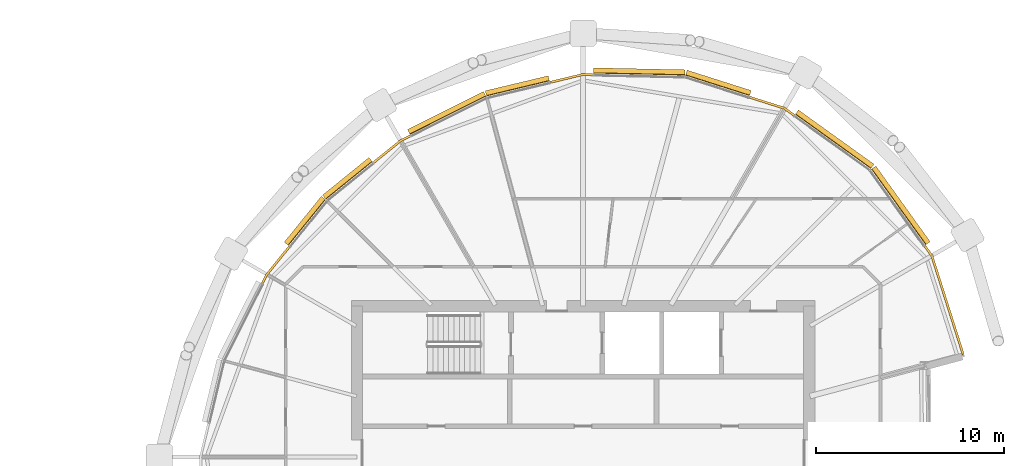
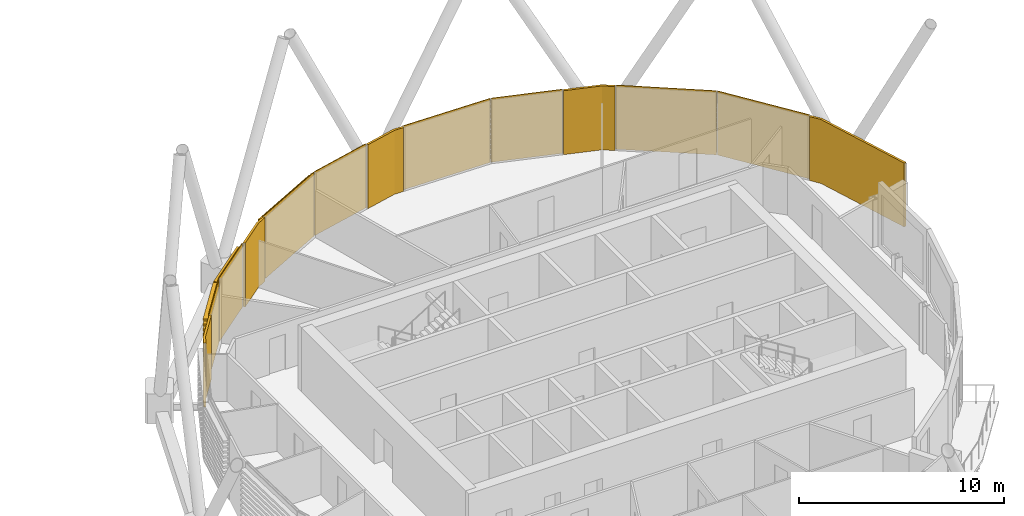
# One storey, part 35 of 36: 13 coverings.
"""IFC4 building model written with IfcOpenShell, lengths in metres."""

from ifc_helpers import new_model, si_unit, direction, frame, origin, place, context, subcontext, project, spatial, polyline, outline, extrude, material, layer, layer_set, material_profile, profile_set, type_object, element, save


model = new_model("IFC4")

# Units and contexts
model_context = context("Model", 3, precision=1e-05, world=origin(), true_north=direction((0.0, 1.0)))
body_context = subcontext(model_context, "Body", "Model", "MODEL_VIEW")
ifc_project = project(units=[si_unit("LENGTHUNIT", "METRE"), si_unit("AREAUNIT", "SQUARE_METRE"), si_unit("VOLUMEUNIT", "CUBIC_METRE"), si_unit("PLANEANGLEUNIT", "RADIAN"), si_unit("MASSUNIT", "GRAM", prefix="KILO")], contexts=[model_context])

# Site, building, storey
site_placement = place(None, origin())
site = spatial("IfcSite", under=ifc_project, at=site_placement, CompositionType="ELEMENT")
building_placement = place(site_placement, origin())
building = spatial("IfcBuilding", under=site, at=building_placement, Name="Rimbun Link Towers", CompositionType="ELEMENT")
storey_placement = place(building_placement, frame((0.0, 0.0, 193.10009765625)))
storey = spatial("IfcBuildingStorey", under=building, at=storey_placement, Name="L47", CompositionType="ELEMENT", Elevation=193.10009765625)

# Coverings
ifc_material_1 = material(Name="Terracotta", Category="masonry")
ifc_layer = layer(ifc_material_1, 0.1201171875)
ifc_layer_set = layer_set([ifc_layer], Name="LINK PIER terracotta cladding 120")
covering_type_1 = type_object("IfcCoveringType", Name="LINK PIER terracotta cladding 120", PredefinedType="CLADDING", material=ifc_layer_set)
covering_1_placement = place(storey_placement, origin())
element("IfcCovering", 1, at=covering_1_placement, inside=storey, type_object=covering_type_1, Name="LINK PIER cladding", PredefinedType="CLADDING", context=body_context, shape_type="SweptSolid", body=[
    extrude(outline(polyline([(40.57177734375, 19.030517578125), (42.4013671875, 18.44873046875), (42.905029296875, 18.087158203125), (42.97509765625, 18.184814453125), (42.455810546875, 18.557373046875), (40.608154296875, 19.14501953125), (40.57177734375, 19.030517578125)])), origin(), (0.0, 0.0, 1.0), 3.7998046875),
])
covering_2_placement = place(storey_placement, origin())
element("IfcCovering", 2, at=covering_2_placement, inside=storey, type_object=covering_type_1, Name="LINK PIER cladding", PredefinedType="CLADDING", context=body_context, shape_type="SweptSolid", body=[
    extrude(outline(polyline([(30.028564453125, 19.823486328125), (31.75, 20.235107421875), (32.269775390625, 20.22412109375), (32.2724609375, 20.34423828125), (31.737060546875, 20.35546875), (30.000732421875, 19.940185546875), (30.028564453125, 19.823486328125)])), origin(), (0.0, 0.0, 1.0), 3.7998046875),
])
covering_3_placement = place(storey_placement, origin())
element("IfcCovering", 3, at=covering_3_placement, inside=storey, type_object=covering_type_1, Name="LINK PIER cladding", PredefinedType="CLADDING", context=body_context, shape_type="SweptSolid", body=[
    extrude(outline(polyline([(20.6787109375, 15.580810546875), (22.09326171875, 16.725830078125), (22.602783203125, 16.981689453125), (22.548828125, 17.0888671875), (22.02783203125, 16.8271484375), (20.603271484375, 15.674072265625), (20.6787109375, 15.580810546875)])), origin(), (0.0, 0.0, 1.0), 3.7998046875),
])
covering_4_placement = place(storey_placement, origin())
element("IfcCovering", 4, at=covering_4_placement, inside=storey, type_object=covering_type_1, Name="LINK PIER cladding", PredefinedType="CLADDING", context=body_context, shape_type="SweptSolid", body=[
    extrude(outline(polyline([(14.790771484375, 9.19189453125), (15.024169921875, 9.65673828125), (16.20068359375, 11.110107421875), (16.107421875, 11.185791015625), (14.9228515625, 9.72216796875), (14.68359375, 9.245849609375), (14.790771484375, 9.19189453125)])), origin(), (0.0, 0.0, 1.0), 3.7998046875),
])
covering_5_placement = place(storey_placement, origin())
element("IfcCovering", 5, at=covering_5_placement, inside=storey, type_object=covering_type_1, Name="LINK PIER cladding", PredefinedType="CLADDING", context=body_context, shape_type="SweptSolid", body=[
    extrude(outline(polyline([(49.837158203125, 11.155029296875), (50.19873046875, 10.6513671875), (51.8623046875, 5.420166015625), (51.976806640625, 5.45654296875), (50.307373046875, 10.705810546875), (49.934814453125, 11.22509765625), (49.837158203125, 11.155029296875)])), origin(), (0.0, 0.0, 1.0), 3.7998046875),
])
ifc_material_2 = material(Name="Terracotta", Category="masonry")
ifc_material_profile = material_profile(ifc_material_2, outline(polyline([(0.123046875, 0.0), (0.1630859375, 0.0), (0.1630859375, 0.10009765625), (0.423095703125, 0.10009765625), (0.423095703125, 0.219970703125), (0.1630859375, 0.219970703125), (0.1630859375, 0.39990234375), (0.423095703125, 0.39990234375), (0.423095703125, 0.52001953125), (0.1630859375, 0.52001953125), (0.1630859375, 0.699951171875), (0.423095703125, 0.699951171875), (0.423095703125, 0.820068359375), (0.1630859375, 0.820068359375), (0.1630859375, 1.0), (0.423095703125, 1.0), (0.423095703125, 1.1201171875), (0.1630859375, 1.1201171875), (0.1630859375, 1.300048828125), (0.423095703125, 1.300048828125), (0.423095703125, 1.419921875), (0.1630859375, 1.419921875), (0.1630859375, 1.60009765625), (0.423095703125, 1.60009765625), (0.423095703125, 1.719970703125), (0.1630859375, 1.719970703125), (0.1630859375, 1.89990234375), (0.423095703125, 1.89990234375), (0.423095703125, 2.02001953125), (0.1630859375, 2.02001953125), (0.1630859375, 2.199951171875), (0.423095703125, 2.199951171875), (0.423095703125, 2.320068359375), (0.1630859375, 2.320068359375), (0.1630859375, 2.5), (0.423095703125, 2.5), (0.423095703125, 2.6201171875), (0.1630859375, 2.6201171875), (0.1630859375, 2.800048828125), (0.423095703125, 2.800048828125), (0.423095703125, 2.919921875), (0.1630859375, 2.919921875), (0.1630859375, 3.10009765625), (0.423095703125, 3.10009765625), (0.423095703125, 3.219970703125), (0.1630859375, 3.219970703125), (0.1630859375, 3.39990234375), (0.423095703125, 3.39990234375), (0.423095703125, 3.52001953125), (0.1630859375, 3.52001953125), (0.1630859375, 3.800048828125), (0.123046875, 3.800048828125), (0.123046875, 0.0)])), Name="BAGUETTE 120X300")
ifc_profile_set = profile_set([ifc_material_profile], Name="Terracotta")
covering_type_2 = type_object("IfcCoveringType", Name="TERRACOTTA BAGUETTE 120X300 H3800", PredefinedType="CLADDING", material=ifc_profile_set)
covering_6_placement = place(storey_placement, frame((42.929443359375, 18.06982421875, 0.0), z_axis=(0.812472062268, -0.583000126959, 0.0), x_axis=(0.583000126959, 0.812472062268, 0.0)))
element("IfcCovering", 6, at=covering_6_placement, inside=storey, type_object=covering_type_2, Name="TERRACOTTA BAGUETTE", PredefinedType="CLADDING", context=body_context, shape_type="SweptSolid", body=[
    extrude(outline(polyline([(0.123046875, 0.0), (0.1630859375, 0.0), (0.1630859375, 0.10009765625), (0.423095703125, 0.10009765625), (0.423095703125, 0.219970703125), (0.1630859375, 0.219970703125), (0.1630859375, 0.39990234375), (0.423095703125, 0.39990234375), (0.423095703125, 0.52001953125), (0.1630859375, 0.52001953125), (0.1630859375, 0.699951171875), (0.423095703125, 0.699951171875), (0.423095703125, 0.820068359375), (0.1630859375, 0.820068359375), (0.1630859375, 1.0), (0.423095703125, 1.0), (0.423095703125, 1.1201171875), (0.1630859375, 1.1201171875), (0.1630859375, 1.300048828125), (0.423095703125, 1.300048828125), (0.423095703125, 1.419921875), (0.1630859375, 1.419921875), (0.1630859375, 1.60009765625), (0.423095703125, 1.60009765625), (0.423095703125, 1.719970703125), (0.1630859375, 1.719970703125), (0.1630859375, 1.89990234375), (0.423095703125, 1.89990234375), (0.423095703125, 2.02001953125), (0.1630859375, 2.02001953125), (0.1630859375, 2.199951171875), (0.423095703125, 2.199951171875), (0.423095703125, 2.320068359375), (0.1630859375, 2.320068359375), (0.1630859375, 2.5), (0.423095703125, 2.5), (0.423095703125, 2.6201171875), (0.1630859375, 2.6201171875), (0.1630859375, 2.800048828125), (0.423095703125, 2.800048828125), (0.423095703125, 2.919921875), (0.1630859375, 2.919921875), (0.1630859375, 3.10009765625), (0.423095703125, 3.10009765625), (0.423095703125, 3.219970703125), (0.1630859375, 3.219970703125), (0.1630859375, 3.39990234375), (0.423095703125, 3.39990234375), (0.423095703125, 3.52001953125), (0.1630859375, 3.52001953125), (0.1630859375, 3.800048828125), (0.123046875, 3.800048828125), (0.123046875, 0.0)])), origin(), (0.0, 0.0, 1.0), 4.937744140625),
])
covering_7_placement = place(storey_placement, frame((37.1416015625, 20.12158203125, 0.0), z_axis=(0.952969785043, -0.303065321002, 0.0), x_axis=(0.303065321002, 0.952969785043, 0.0)))
element("IfcCovering", 7, at=covering_7_placement, inside=storey, type_object=covering_type_2, Name="TERRACOTTA BAGUETTE", PredefinedType="CLADDING", context=body_context, shape_type="SweptSolid", body=[
    extrude(outline(polyline([(0.123046875, 0.0), (0.1630859375, 0.0), (0.1630859375, 0.10009765625), (0.423095703125, 0.10009765625), (0.423095703125, 0.219970703125), (0.1630859375, 0.219970703125), (0.1630859375, 0.39990234375), (0.423095703125, 0.39990234375), (0.423095703125, 0.52001953125), (0.1630859375, 0.52001953125), (0.1630859375, 0.699951171875), (0.423095703125, 0.699951171875), (0.423095703125, 0.820068359375), (0.1630859375, 0.820068359375), (0.1630859375, 1.0), (0.423095703125, 1.0), (0.423095703125, 1.1201171875), (0.1630859375, 1.1201171875), (0.1630859375, 1.300048828125), (0.423095703125, 1.300048828125), (0.423095703125, 1.419921875), (0.1630859375, 1.419921875), (0.1630859375, 1.60009765625), (0.423095703125, 1.60009765625), (0.423095703125, 1.719970703125), (0.1630859375, 1.719970703125), (0.1630859375, 1.89990234375), (0.423095703125, 1.89990234375), (0.423095703125, 2.02001953125), (0.1630859375, 2.02001953125), (0.1630859375, 2.199951171875), (0.423095703125, 2.199951171875), (0.423095703125, 2.320068359375), (0.1630859375, 2.320068359375), (0.1630859375, 2.5), (0.423095703125, 2.5), (0.423095703125, 2.6201171875), (0.1630859375, 2.6201171875), (0.1630859375, 2.800048828125), (0.423095703125, 2.800048828125), (0.423095703125, 2.919921875), (0.1630859375, 2.919921875), (0.1630859375, 3.10009765625), (0.423095703125, 3.10009765625), (0.423095703125, 3.219970703125), (0.1630859375, 3.219970703125), (0.1630859375, 3.39990234375), (0.423095703125, 3.39990234375), (0.423095703125, 3.52001953125), (0.1630859375, 3.52001953125), (0.1630859375, 3.800048828125), (0.123046875, 3.800048828125), (0.123046875, 0.0)])), origin(), (0.0, 0.0, 1.0), 3.569580078125),
])
covering_8_placement = place(storey_placement, frame((32.2998046875, 20.2236328125, 0.0), z_axis=(0.99977795302, -0.021072367102, 0.0), x_axis=(0.021072367102, 0.99977795302, 0.0)))
element("IfcCovering", 8, at=covering_8_placement, inside=storey, type_object=covering_type_2, Name="TERRACOTTA BAGUETTE", PredefinedType="CLADDING", context=body_context, shape_type="SweptSolid", body=[
    extrude(outline(polyline([(0.123046875, 0.0), (0.1630859375, 0.0), (0.1630859375, 0.10009765625), (0.423095703125, 0.10009765625), (0.423095703125, 0.219970703125), (0.1630859375, 0.219970703125), (0.1630859375, 0.39990234375), (0.423095703125, 0.39990234375), (0.423095703125, 0.52001953125), (0.1630859375, 0.52001953125), (0.1630859375, 0.699951171875), (0.423095703125, 0.699951171875), (0.423095703125, 0.820068359375), (0.1630859375, 0.820068359375), (0.1630859375, 1.0), (0.423095703125, 1.0), (0.423095703125, 1.1201171875), (0.1630859375, 1.1201171875), (0.1630859375, 1.300048828125), (0.423095703125, 1.300048828125), (0.423095703125, 1.419921875), (0.1630859375, 1.419921875), (0.1630859375, 1.60009765625), (0.423095703125, 1.60009765625), (0.423095703125, 1.719970703125), (0.1630859375, 1.719970703125), (0.1630859375, 1.89990234375), (0.423095703125, 1.89990234375), (0.423095703125, 2.02001953125), (0.1630859375, 2.02001953125), (0.1630859375, 2.199951171875), (0.423095703125, 2.199951171875), (0.423095703125, 2.320068359375), (0.1630859375, 2.320068359375), (0.1630859375, 2.5), (0.423095703125, 2.5), (0.423095703125, 2.6201171875), (0.1630859375, 2.6201171875), (0.1630859375, 2.800048828125), (0.423095703125, 2.800048828125), (0.423095703125, 2.919921875), (0.1630859375, 2.919921875), (0.1630859375, 3.10009765625), (0.423095703125, 3.10009765625), (0.423095703125, 3.219970703125), (0.1630859375, 3.219970703125), (0.1630859375, 3.39990234375), (0.423095703125, 3.39990234375), (0.423095703125, 3.52001953125), (0.1630859375, 3.52001953125), (0.1630859375, 3.800048828125), (0.123046875, 3.800048828125), (0.123046875, 0.0)])), origin(), (0.0, 0.0, 1.0), 4.8427734375),
])
covering_9_placement = place(storey_placement, frame((26.654541015625, 19.016357421875, 0.0), z_axis=(0.97256422838, 0.232634523825, 0.0), x_axis=(-0.232634523825, 0.97256422838, 0.0)))
element("IfcCovering", 9, at=covering_9_placement, inside=storey, type_object=covering_type_2, Name="TERRACOTTA BAGUETTE", PredefinedType="CLADDING", context=body_context, shape_type="SweptSolid", body=[
    extrude(outline(polyline([(0.123046875, 0.0), (0.1630859375, 0.0), (0.1630859375, 0.10009765625), (0.423095703125, 0.10009765625), (0.423095703125, 0.219970703125), (0.1630859375, 0.219970703125), (0.1630859375, 0.39990234375), (0.423095703125, 0.39990234375), (0.423095703125, 0.52001953125), (0.1630859375, 0.52001953125), (0.1630859375, 0.699951171875), (0.423095703125, 0.699951171875), (0.423095703125, 0.820068359375), (0.1630859375, 0.820068359375), (0.1630859375, 1.0), (0.423095703125, 1.0), (0.423095703125, 1.1201171875), (0.1630859375, 1.1201171875), (0.1630859375, 1.300048828125), (0.423095703125, 1.300048828125), (0.423095703125, 1.419921875), (0.1630859375, 1.419921875), (0.1630859375, 1.60009765625), (0.423095703125, 1.60009765625), (0.423095703125, 1.719970703125), (0.1630859375, 1.719970703125), (0.1630859375, 1.89990234375), (0.423095703125, 1.89990234375), (0.423095703125, 2.02001953125), (0.1630859375, 2.02001953125), (0.1630859375, 2.199951171875), (0.423095703125, 2.199951171875), (0.423095703125, 2.320068359375), (0.1630859375, 2.320068359375), (0.1630859375, 2.5), (0.423095703125, 2.5), (0.423095703125, 2.6201171875), (0.1630859375, 2.6201171875), (0.1630859375, 2.800048828125), (0.423095703125, 2.800048828125), (0.423095703125, 2.919921875), (0.1630859375, 2.919921875), (0.1630859375, 3.10009765625), (0.423095703125, 3.10009765625), (0.423095703125, 3.219970703125), (0.1630859375, 3.219970703125), (0.1630859375, 3.39990234375), (0.423095703125, 3.39990234375), (0.423095703125, 3.52001953125), (0.1630859375, 3.52001953125), (0.1630859375, 3.800048828125), (0.123046875, 3.800048828125), (0.123046875, 0.0)])), origin(), (0.0, 0.0, 1.0), 3.43896484375),
])
covering_10_placement = place(storey_placement, frame((22.62939453125, 16.9951171875, 0.0), z_axis=(0.89365617395, 0.448752317834, 0.0), x_axis=(-0.448752317834, 0.89365617395, 0.0)))
element("IfcCovering", 10, at=covering_10_placement, inside=storey, type_object=covering_type_2, Name="TERRACOTTA BAGUETTE", PredefinedType="CLADDING", context=body_context, shape_type="SweptSolid", body=[
    extrude(outline(polyline([(0.123046875, 0.0), (0.1630859375, 0.0), (0.1630859375, 0.10009765625), (0.423095703125, 0.10009765625), (0.423095703125, 0.219970703125), (0.1630859375, 0.219970703125), (0.1630859375, 0.39990234375), (0.423095703125, 0.39990234375), (0.423095703125, 0.52001953125), (0.1630859375, 0.52001953125), (0.1630859375, 0.699951171875), (0.423095703125, 0.699951171875), (0.423095703125, 0.820068359375), (0.1630859375, 0.820068359375), (0.1630859375, 1.0), (0.423095703125, 1.0), (0.423095703125, 1.1201171875), (0.1630859375, 1.1201171875), (0.1630859375, 1.300048828125), (0.423095703125, 1.300048828125), (0.423095703125, 1.419921875), (0.1630859375, 1.419921875), (0.1630859375, 1.60009765625), (0.423095703125, 1.60009765625), (0.423095703125, 1.719970703125), (0.1630859375, 1.719970703125), (0.1630859375, 1.89990234375), (0.423095703125, 1.89990234375), (0.423095703125, 2.02001953125), (0.1630859375, 2.02001953125), (0.1630859375, 2.199951171875), (0.423095703125, 2.199951171875), (0.423095703125, 2.320068359375), (0.1630859375, 2.320068359375), (0.1630859375, 2.5), (0.423095703125, 2.5), (0.423095703125, 2.6201171875), (0.1630859375, 2.6201171875), (0.1630859375, 2.800048828125), (0.423095703125, 2.800048828125), (0.423095703125, 2.919921875), (0.1630859375, 2.919921875), (0.1630859375, 3.10009765625), (0.423095703125, 3.10009765625), (0.423095703125, 3.219970703125), (0.1630859375, 3.219970703125), (0.1630859375, 3.39990234375), (0.423095703125, 3.39990234375), (0.423095703125, 3.52001953125), (0.1630859375, 3.52001953125), (0.1630859375, 3.800048828125), (0.123046875, 3.800048828125), (0.123046875, 0.0)])), origin(), (0.0, 0.0, 1.0), 4.504150390625),
])
covering_11_placement = place(storey_placement, frame((18.1865234375, 13.5634765625, 0.0), z_axis=(0.777278880577, 0.629156214154, 0.0), x_axis=(-0.629156214154, 0.777278880577, 0.0)))
element("IfcCovering", 11, at=covering_11_placement, inside=storey, type_object=covering_type_2, Name="TERRACOTTA BAGUETTE", PredefinedType="CLADDING", context=body_context, shape_type="SweptSolid", body=[
    extrude(outline(polyline([(0.123046875, 0.0), (0.1630859375, 0.0), (0.1630859375, 0.10009765625), (0.423095703125, 0.10009765625), (0.423095703125, 0.219970703125), (0.1630859375, 0.219970703125), (0.1630859375, 0.39990234375), (0.423095703125, 0.39990234375), (0.423095703125, 0.52001953125), (0.1630859375, 0.52001953125), (0.1630859375, 0.699951171875), (0.423095703125, 0.699951171875), (0.423095703125, 0.820068359375), (0.1630859375, 0.820068359375), (0.1630859375, 1.0), (0.423095703125, 1.0), (0.423095703125, 1.1201171875), (0.1630859375, 1.1201171875), (0.1630859375, 1.300048828125), (0.423095703125, 1.300048828125), (0.423095703125, 1.419921875), (0.1630859375, 1.419921875), (0.1630859375, 1.60009765625), (0.423095703125, 1.60009765625), (0.423095703125, 1.719970703125), (0.1630859375, 1.719970703125), (0.1630859375, 1.89990234375), (0.423095703125, 1.89990234375), (0.423095703125, 2.02001953125), (0.1630859375, 2.02001953125), (0.1630859375, 2.199951171875), (0.423095703125, 2.199951171875), (0.423095703125, 2.320068359375), (0.1630859375, 2.320068359375), (0.1630859375, 2.5), (0.423095703125, 2.5), (0.423095703125, 2.6201171875), (0.1630859375, 2.6201171875), (0.1630859375, 2.800048828125), (0.423095703125, 2.800048828125), (0.423095703125, 2.919921875), (0.1630859375, 2.919921875), (0.1630859375, 3.10009765625), (0.423095703125, 3.10009765625), (0.423095703125, 3.219970703125), (0.1630859375, 3.219970703125), (0.1630859375, 3.39990234375), (0.423095703125, 3.39990234375), (0.423095703125, 3.52001953125), (0.1630859375, 3.52001953125), (0.1630859375, 3.800048828125), (0.123046875, 3.800048828125), (0.123046875, 0.0)])), origin(), (0.0, 0.0, 1.0), 3.176025390625),
])
covering_12_placement = place(storey_placement, frame((16.219482421875, 11.133544921875, 0.0), z_axis=(0.629189242669, 0.777252145002, 0.0), x_axis=(-0.777252145002, 0.629189242669, 0.0)))
element("IfcCovering", 12, at=covering_12_placement, inside=storey, type_object=covering_type_2, Name="TERRACOTTA BAGUETTE", PredefinedType="CLADDING", context=body_context, shape_type="SweptSolid", body=[
    extrude(outline(polyline([(0.123046875, 0.0), (0.1630859375, 0.0), (0.1630859375, 0.10009765625), (0.423095703125, 0.10009765625), (0.423095703125, 0.219970703125), (0.1630859375, 0.219970703125), (0.1630859375, 0.39990234375), (0.423095703125, 0.39990234375), (0.423095703125, 0.52001953125), (0.1630859375, 0.52001953125), (0.1630859375, 0.699951171875), (0.423095703125, 0.699951171875), (0.423095703125, 0.820068359375), (0.1630859375, 0.820068359375), (0.1630859375, 1.0), (0.423095703125, 1.0), (0.423095703125, 1.1201171875), (0.1630859375, 1.1201171875), (0.1630859375, 1.300048828125), (0.423095703125, 1.300048828125), (0.423095703125, 1.419921875), (0.1630859375, 1.419921875), (0.1630859375, 1.60009765625), (0.423095703125, 1.60009765625), (0.423095703125, 1.719970703125), (0.1630859375, 1.719970703125), (0.1630859375, 1.89990234375), (0.423095703125, 1.89990234375), (0.423095703125, 2.02001953125), (0.1630859375, 2.02001953125), (0.1630859375, 2.199951171875), (0.423095703125, 2.199951171875), (0.423095703125, 2.320068359375), (0.1630859375, 2.320068359375), (0.1630859375, 2.5), (0.423095703125, 2.5), (0.423095703125, 2.6201171875), (0.1630859375, 2.6201171875), (0.1630859375, 2.800048828125), (0.423095703125, 2.800048828125), (0.423095703125, 2.919921875), (0.1630859375, 2.919921875), (0.1630859375, 3.10009765625), (0.423095703125, 3.10009765625), (0.423095703125, 3.219970703125), (0.1630859375, 3.219970703125), (0.1630859375, 3.39990234375), (0.423095703125, 3.39990234375), (0.423095703125, 3.52001953125), (0.1630859375, 3.52001953125), (0.1630859375, 3.800048828125), (0.123046875, 3.800048828125), (0.123046875, 0.0)])), origin(), (0.0, 0.0, 1.0), 3.126220703125),
])
covering_13_placement = place(storey_placement, frame((46.941162109375, 15.191162109375, 0.0), z_axis=(0.583000126959, -0.812472062268, 0.0), x_axis=(0.812472062268, 0.583000126959, 0.0)))
element("IfcCovering", 13, at=covering_13_placement, inside=storey, type_object=covering_type_2, Name="TERRACOTTA BAGUETTE", PredefinedType="CLADDING", context=body_context, shape_type="SweptSolid", body=[
    extrude(outline(polyline([(0.123046875, 0.0), (0.1630859375, 0.0), (0.1630859375, 0.10009765625), (0.423095703125, 0.10009765625), (0.423095703125, 0.219970703125), (0.1630859375, 0.219970703125), (0.1630859375, 0.39990234375), (0.423095703125, 0.39990234375), (0.423095703125, 0.52001953125), (0.1630859375, 0.52001953125), (0.1630859375, 0.699951171875), (0.423095703125, 0.699951171875), (0.423095703125, 0.820068359375), (0.1630859375, 0.820068359375), (0.1630859375, 1.0), (0.423095703125, 1.0), (0.423095703125, 1.1201171875), (0.1630859375, 1.1201171875), (0.1630859375, 1.300048828125), (0.423095703125, 1.300048828125), (0.423095703125, 1.419921875), (0.1630859375, 1.419921875), (0.1630859375, 1.60009765625), (0.423095703125, 1.60009765625), (0.423095703125, 1.719970703125), (0.1630859375, 1.719970703125), (0.1630859375, 1.89990234375), (0.423095703125, 1.89990234375), (0.423095703125, 2.02001953125), (0.1630859375, 2.02001953125), (0.1630859375, 2.199951171875), (0.423095703125, 2.199951171875), (0.423095703125, 2.320068359375), (0.1630859375, 2.320068359375), (0.1630859375, 2.5), (0.423095703125, 2.5), (0.423095703125, 2.6201171875), (0.1630859375, 2.6201171875), (0.1630859375, 2.800048828125), (0.423095703125, 2.800048828125), (0.423095703125, 2.919921875), (0.1630859375, 2.919921875), (0.1630859375, 3.10009765625), (0.423095703125, 3.10009765625), (0.423095703125, 3.219970703125), (0.1630859375, 3.219970703125), (0.1630859375, 3.39990234375), (0.423095703125, 3.39990234375), (0.423095703125, 3.52001953125), (0.1630859375, 3.52001953125), (0.1630859375, 3.800048828125), (0.123046875, 3.800048828125), (0.123046875, 0.0)])), origin(), (0.0, 0.0, 1.0), 4.937744140625),
])

save(model, "model.ifc")
